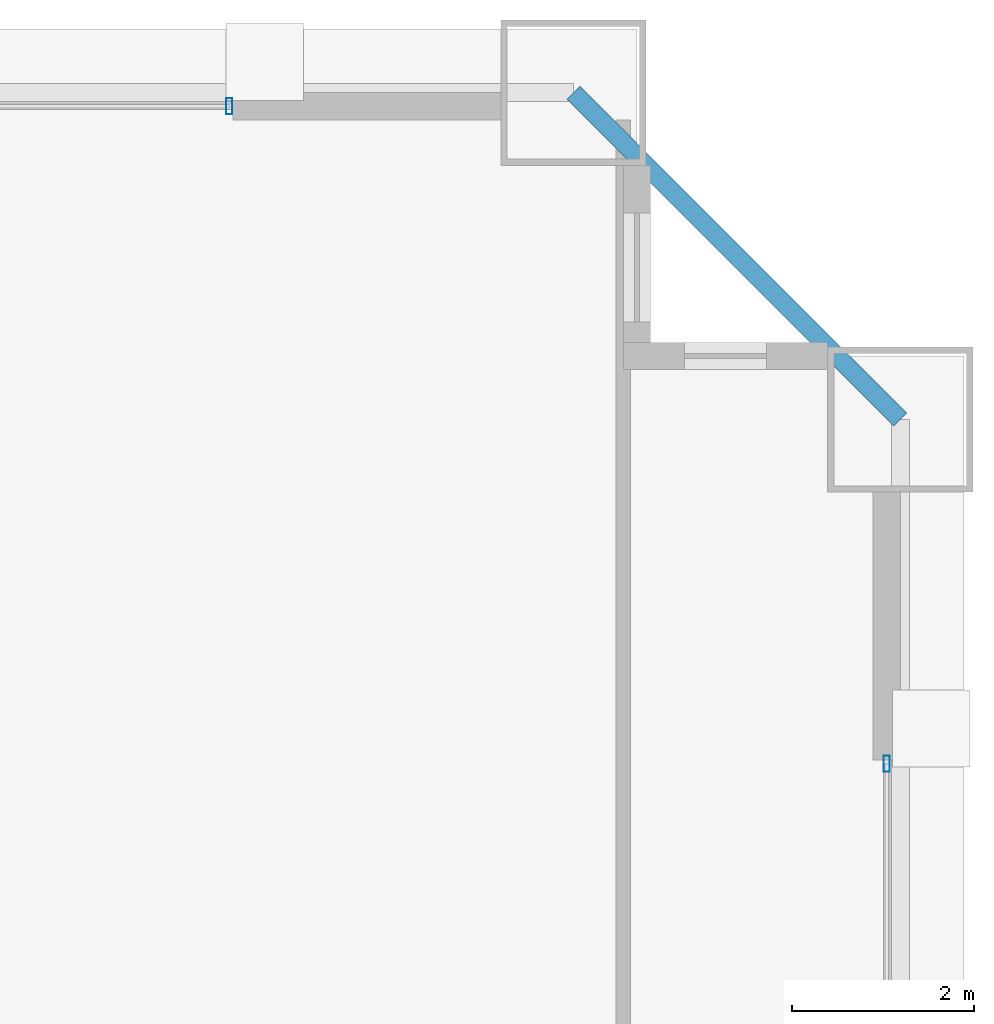
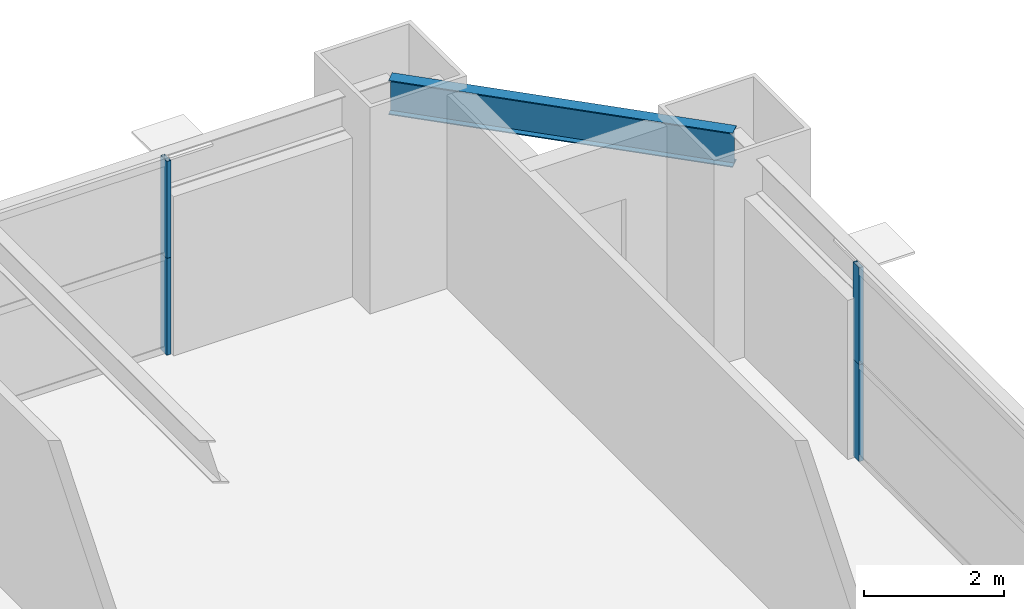
# One storey, part 32 of 37: 4 members, 1 beam, 2 elements without a shape of their own.
"""IFC4 building model written with IfcOpenShell, lengths in metres."""

from ifc_helpers import new_model, si_unit, direction, frame, origin, origin_2d, place, context, subcontext, project, spatial, hollow_rectangle, i_section, extrude, source, transform, mapped, material, layer, layer_set, material_profile, profile_set, type_object, element, aggregate, save


model = new_model("IFC4")

# Units and contexts
model_context = context("Model", 3, precision=1e-05, world=origin(), true_north=direction((0.0, 1.0)))
body_context = subcontext(model_context, "Body", "Model", "MODEL_VIEW")
ifc_project = project(units=[si_unit("LENGTHUNIT", "METRE"), si_unit("AREAUNIT", "SQUARE_METRE"), si_unit("VOLUMEUNIT", "CUBIC_METRE"), si_unit("PLANEANGLEUNIT", "RADIAN"), si_unit("MASSUNIT", "GRAM", prefix="KILO"), si_unit("THERMODYNAMICTEMPERATUREUNIT", "KELVIN"), si_unit("POWERUNIT", "WATT")], contexts=[model_context])

# Site, building, storey
site_placement = place(None, origin())
site = spatial("IfcSite", under=ifc_project, at=site_placement, CompositionType="ELEMENT")
building_placement = place(site_placement, origin())
building = spatial("IfcBuilding", under=site, at=building_placement, Name="Yuzanri Waterfront Tower", CompositionType="ELEMENT")
storey_placement = place(building_placement, frame((0.0, 0.0, 104.60009765625)))
storey = spatial("IfcBuildingStorey", under=building, at=storey_placement, Name="L27", CompositionType="ELEMENT", Elevation=104.60009765625)

# Beam
ifc_material_1 = material(Name="Steel Q355B", Category="steel")
ifc_material_profile_1 = material_profile(ifc_material_1, i_section(OverallWidth=0.199951171875, OverallDepth=0.60009765625, WebThickness=0.010986328125, FlangeThickness=0.01708984375, at=origin_2d()), Name="HN 600x200x11x17")
ifc_profile_set_1 = profile_set([ifc_material_profile_1], Name="Steel Q355B")
beam_type = type_object("IfcBeamType", Name="Perimeter Spandrel Q355B HN 600x200", PredefinedType="SPANDREL", material=ifc_profile_set_1)
shared_shape_1 = source(origin(), body_context, "Body", "SweptSolid", [
    extrude(i_section(OverallWidth=0.199951171875, OverallDepth=0.60009765625, WebThickness=0.010986328125, FlangeThickness=0.01708984375, at=origin_2d()), origin(), (0.0, 0.0, 1.0), 5.091064453125),
])
beam_placement = place(storey_placement, frame((60.60009765625, 45.800048828125, 3.079833984375), z_axis=(-0.707130757816, 0.707082803744, 0.0), x_axis=(-0.707082803744, -0.707130757816, 0.0)))
element("IfcBeam", 1, at=beam_placement, inside=storey, type_object=beam_type, Name="L27 Perimeter Spandrel E3-N3", PredefinedType="SPANDREL", context=body_context, shape_type="MappedRepresentation", body=[
    mapped(shared_shape_1, transform((0.0, 0.0, 0.0), scale=1.0)),
])

# Curtain wall, members
ifc_material_2 = material(Name="Anodized Architectural Bronze", Category="metal")
ifc_layer = layer(ifc_material_2, 0.159912109375)
ifc_layer_set = layer_set([ifc_layer], Name="Anodized Architectural Bronze")
curtain_wall_type = type_object("IfcCurtainWallType", Name="Anodized Bronze Hotel Upper-Tier Solar-Control Unitized Curtain Wall 7800", PredefinedType="NOTDEFINED", material=ifc_layer_set)
curtain_wall_1_placement = place(storey_placement, origin())
curtain_wall_1 = element("IfcCurtainWall", 2, at=curtain_wall_1_placement, inside=storey, type_object=curtain_wall_type, Name="L27 Curtain Wall CW-L27-NR", PredefinedType="NOTDEFINED")
ifc_material_3 = material(Name="Anodized Architectural Bronze", Category="metal")
ifc_material_profile_2 = material_profile(ifc_material_3, hollow_rectangle(XDim=0.070068359375, YDim=0.179931640625, WallThickness=0.00390625, at=origin_2d()), Name="CWM 70x180")
ifc_profile_set_2 = profile_set([ifc_material_profile_2], Name="Anodized Architectural Bronze")
member_type = type_object("IfcMemberType", Name="Anodized Bronze Standard Curtain-Wall Mullion 70x180", PredefinedType="MULLION", material=ifc_profile_set_2)
shared_shape_2 = source(origin(), body_context, "Body", "SweptSolid", [
    extrude(hollow_rectangle(XDim=0.070068359375, YDim=0.179931640625, WallThickness=0.00390625, at=origin_2d()), origin(), (0.0, 0.0, 1.0), 1.68798828125),
])
member_1_placement = place(storey_placement, frame((53.2099609375, 49.25, 0.0), z_axis=(0.0, 0.0, 1.0), x_axis=(1.0, 0.0, 0.0)))
member_1 = element("IfcMember", 3, at=member_1_placement, type_object=member_type, Name="CW-L27-NR Lower Mullion 02", PredefinedType="MULLION", context=body_context, shape_type="MappedRepresentation", body=[
    mapped(shared_shape_2, transform((0.0, 0.0, 0.0), scale=1.0)),
])
member_2_placement = place(storey_placement, frame((53.2099609375, 49.25, 1.69189453125), z_axis=(0.0, 0.0, 1.0), x_axis=(1.0, 0.0, 0.0)))
member_2 = element("IfcMember", 4, at=member_2_placement, type_object=member_type, Name="CW-L27-NR Upper Mullion 02", PredefinedType="MULLION", context=body_context, shape_type="MappedRepresentation", body=[
    mapped(shared_shape_2, transform((0.0, 0.0, 0.0), scale=1.0)),
])
aggregate(curtain_wall_1, [member_1, member_2])

curtain_wall_2_placement = place(storey_placement, origin())
curtain_wall_2 = element("IfcCurtainWall", 5, at=curtain_wall_2_placement, inside=storey, type_object=curtain_wall_type, Name="L27 Curtain Wall CW-L27-ER", PredefinedType="NOTDEFINED")
member_3_placement = place(storey_placement, frame((60.449951171875, 42.010009765625, 0.0), z_axis=(0.0, 0.0, 1.0), x_axis=(1.0, 0.0, 0.0)))
member_3 = element("IfcMember", 6, at=member_3_placement, type_object=member_type, Name="CW-L27-ER Lower Mullion 02", PredefinedType="MULLION", context=body_context, shape_type="MappedRepresentation", body=[
    mapped(shared_shape_2, transform((0.0, 0.0, 0.0), scale=1.0)),
])
member_4_placement = place(storey_placement, frame((60.449951171875, 42.010009765625, 1.69189453125), z_axis=(0.0, 0.0, 1.0), x_axis=(1.0, 0.0, 0.0)))
member_4 = element("IfcMember", 7, at=member_4_placement, type_object=member_type, Name="CW-L27-ER Upper Mullion 02", PredefinedType="MULLION", context=body_context, shape_type="MappedRepresentation", body=[
    mapped(shared_shape_2, transform((0.0, 0.0, 0.0), scale=1.0)),
])
aggregate(curtain_wall_2, [member_3, member_4])

save(model, "model.ifc")
